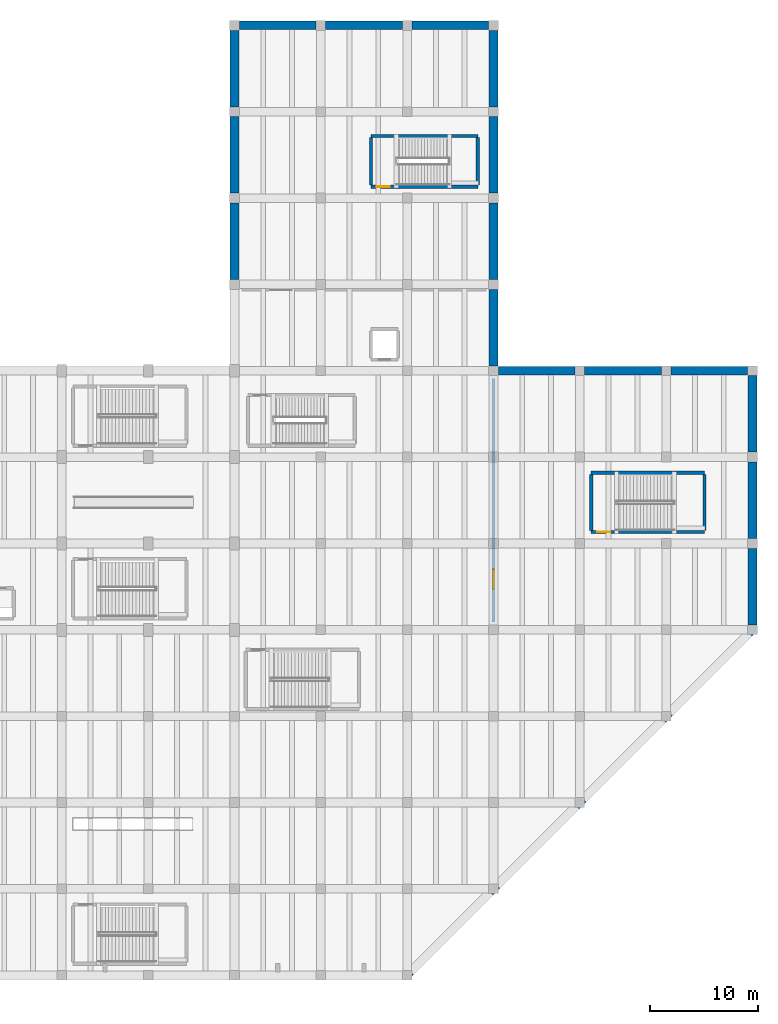
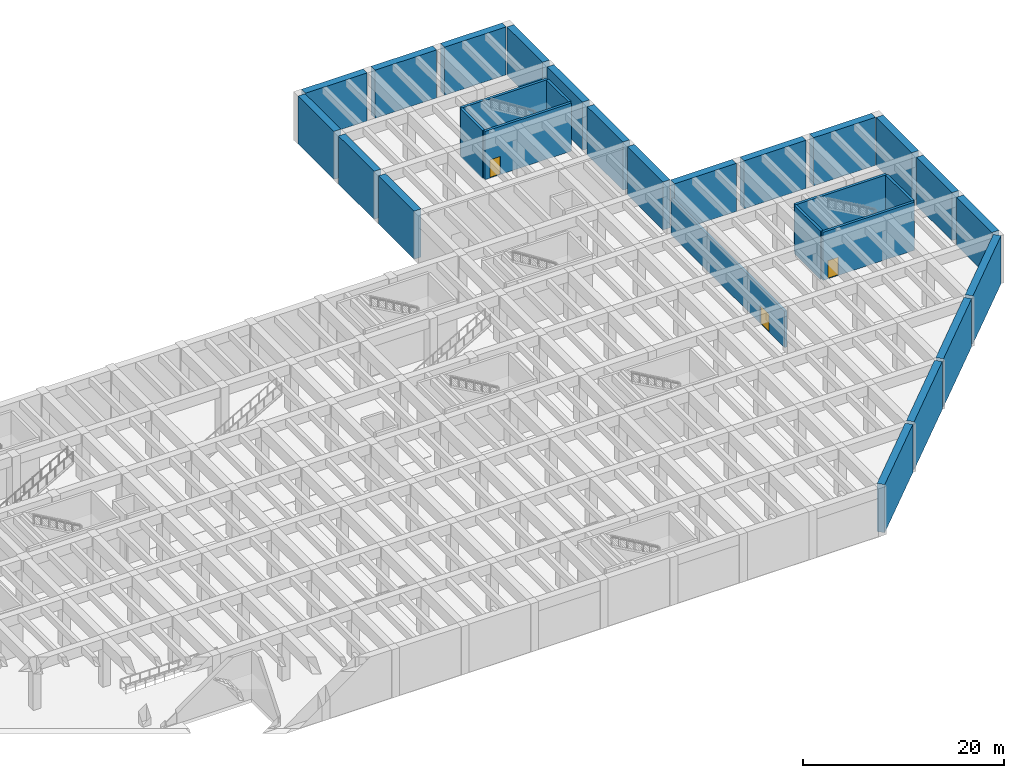
# One storey, part 12 of 24: 29 walls, 3 doors, 3 openings.
"""IFC4 building model written with IfcOpenShell, lengths in metres."""

from ifc_helpers import new_model, si_unit, direction, frame, frame_2d, origin, place, context, subcontext, project, spatial, rectangle, extrude, material, layer, layer_set, type_object, element, fill, save


model = new_model("IFC4")

# Units and contexts
model_context = context("Model", 3, precision=1e-05, world=origin(), true_north=direction((0.0, 1.0)))
body_context = subcontext(model_context, "Body", "Model", "MODEL_VIEW")
ifc_project = project(units=[si_unit("LENGTHUNIT", "METRE"), si_unit("AREAUNIT", "SQUARE_METRE"), si_unit("VOLUMEUNIT", "CUBIC_METRE"), si_unit("PLANEANGLEUNIT", "RADIAN"), si_unit("MASSUNIT", "GRAM", prefix="KILO")], contexts=[model_context])

# Site, building, storey
site_placement = place(None, origin())
site = spatial("IfcSite", under=ifc_project, at=site_placement, CompositionType="ELEMENT")
building_placement = place(site_placement, origin())
building = spatial("IfcBuilding", under=site, at=building_placement, Name="Varnela Railside Interchange", CompositionType="ELEMENT")
storey_placement = place(building_placement, frame((0.0, 0.0, -6.300048828125)))
storey = spatial("IfcBuildingStorey", under=building, at=storey_placement, Name="B1", CompositionType="ELEMENT", Elevation=-6.300048828125)

# Wall
ifc_material_1 = material(Name="Concrete C50", Category="concrete")
ifc_layer_1 = layer(ifc_material_1, 0.300048828125)
ifc_layer_set_1 = layer_set([ifc_layer_1], Name="Concrete C50")
wall_type_1 = type_object("IfcWallType", Name="Stair & Lift Shaft Wall SW-03", PredefinedType="SHEAR", material=ifc_layer_set_1)
wall_1_placement = place(storey_placement, frame((128.64990234375, 83.75, 0.0), z_axis=(0.0, 0.0, 1.0), x_axis=(1.0, 0.0, 0.0)))
element("IfcWall", 1, at=wall_1_placement, inside=storey, type_object=wall_type_1, Name="Stair & Lift Shaft Wall SW-03 (B1) (WL-0283)", PredefinedType="SHEAR", context=body_context, shape_type="SweptSolid", body=[
    extrude(rectangle(XDim=9.900146484375, YDim=0.300048828125, at=frame_2d((4.9501953125, 0.0))), origin(), (0.0, 0.0, 1.0), 5.85009765625),
])

# Wall, opening, door
wall_2_placement = place(storey_placement, frame((128.64990234375, 79.050048828125, 0.0), z_axis=(0.0, 0.0, 1.0), x_axis=(1.0, 0.0, 0.0)))
wall_2 = element("IfcWall", 2, at=wall_2_placement, inside=storey, type_object=wall_type_1, Name="Stair & Lift Shaft Wall SW-03 (B1) (WL-0284)", PredefinedType="SHEAR", context=body_context, shape_type="SweptSolid", body=[
    extrude(rectangle(XDim=9.900146484375, YDim=0.300048828125, at=frame_2d((4.9501953125, 0.0))), origin(), (0.0, 0.0, 1.0), 5.85009765625),
])
opening_1_placement = place(wall_2_placement, frame((0.550048828125, 0.0, 0.0)))
opening_1 = element("IfcOpeningElement", 3, at=opening_1_placement, cuts=wall_2, Name="Opening D-130", PredefinedType="OPENING", context=body_context, shape_type="SweptSolid", body=[
    extrude(rectangle(XDim=1.199951171875, YDim=2.199951171875, at=frame_2d((0.60009765625, 1.10009765625))), frame((0.0, 0.159912109375, 0.0), z_axis=(0.0, -1.0, 0.0), x_axis=(1.0, 0.0, 0.0)), (0.0, 0.0, 1.0), 0.320068359375),
])
ifc_material_2 = material(Name="Steel AR 350 (350 MPa)", Category="steel")
door_type_1 = type_object("IfcDoorType", Name="DR-SGL-1200-FD90", OperationType="NOTDEFINED", PredefinedType="DOOR", material=ifc_material_2)
door_1_placement = place(opening_1_placement, origin())
door_1 = element("IfcDoor", 4, at=door_1_placement, inside=storey, type_object=door_type_1, Name="Door D-130", OperationType="SINGLE_SWING_RIGHT", OverallHeight=2.199951171875, OverallWidth=1.199951171875, PredefinedType="DOOR", context=body_context, shape_type="SweptSolid", body=[
    extrude(rectangle(XDim=1.199951171875, YDim=2.199951171875, at=frame_2d((0.60009765625, 1.10009765625))), frame((0.0, 0.02490234375, 0.0), z_axis=(0.0, -1.0, 0.0), x_axis=(1.0, 0.0, 0.0)), (0.0, 0.0, 1.0), 0.050048828125),
])
fill(opening_1, door_1)

# Walls
for number, where, z_axis, x_axis, name in (
    (5, (128.64990234375, 79.199951171875, 0.0), (0.0, 0.0, 1.0), (0.0, 1.0, 0.0), "Stair & Lift Shaft Wall SW-03 (B1) (WL-0285)"),
    (6, (138.550048828125, 79.199951171875, 0.0), (0.0, 0.0, 1.0), (0.0, 1.0, 0.0), "Stair & Lift Shaft Wall SW-03 (B1) (WL-0282)"),
):
    element("IfcWall", number, at=place(storey_placement, frame(where, z_axis=z_axis, x_axis=x_axis)), inside=storey, type_object=wall_type_1, Name=name, PredefinedType="SHEAR", context=body_context, shape_type="SweptSolid", body=[
        extrude(rectangle(XDim=4.400146484375, YDim=0.300048828125, at=frame_2d((2.2001953125, 0.0))), origin(), (0.0, 0.0, 1.0), 5.85009765625),
    ])
wall_3_placement = place(storey_placement, frame((149.050048828125, 52.550048828125, 0.0), z_axis=(0.0, 0.0, 1.0), x_axis=(1.0, 0.0, 0.0)))
element("IfcWall", 7, at=wall_3_placement, inside=storey, type_object=wall_type_1, Name="Stair & Lift Shaft Wall SW-03 (B1) (WL-0287)", PredefinedType="SHEAR", context=body_context, shape_type="SweptSolid", body=[
    extrude(rectangle(XDim=10.5, YDim=0.300048828125, at=frame_2d((5.25, 0.0))), origin(), (0.0, 0.0, 1.0), 5.85009765625),
])

# Wall, opening, door
wall_4_placement = place(storey_placement, frame((149.050048828125, 47.050048828125, 0.0), z_axis=(0.0, 0.0, 1.0), x_axis=(1.0, 0.0, 0.0)))
wall_4 = element("IfcWall", 8, at=wall_4_placement, inside=storey, type_object=wall_type_1, Name="Stair & Lift Shaft Wall SW-03 (B1) (WL-0288)", PredefinedType="SHEAR", context=body_context, shape_type="SweptSolid", body=[
    extrude(rectangle(XDim=10.5, YDim=0.300048828125, at=frame_2d((5.25, 0.0))), origin(), (0.0, 0.0, 1.0), 5.85009765625),
])
opening_2_placement = place(wall_4_placement, frame((0.550048828125, 0.0, 0.0)))
opening_2 = element("IfcOpeningElement", 9, at=opening_2_placement, cuts=wall_4, Name="Opening D-131", PredefinedType="OPENING", context=body_context, shape_type="SweptSolid", body=[
    extrude(rectangle(XDim=1.199951171875, YDim=2.199951171875, at=frame_2d((0.60009765625, 1.10009765625))), frame((0.0, 0.159912109375, 0.0), z_axis=(0.0, -1.0, 0.0), x_axis=(1.0, 0.0, 0.0)), (0.0, 0.0, 1.0), 0.320068359375),
])
door_2_placement = place(opening_2_placement, origin())
door_2 = element("IfcDoor", 10, at=door_2_placement, inside=storey, type_object=door_type_1, Name="Door D-131", OperationType="SINGLE_SWING_LEFT", OverallHeight=2.199951171875, OverallWidth=1.199951171875, PredefinedType="DOOR", context=body_context, shape_type="SweptSolid", body=[
    extrude(rectangle(XDim=1.199951171875, YDim=2.199951171875, at=frame_2d((0.60009765625, 1.10009765625))), frame((0.0, 0.02490234375, 0.0), z_axis=(0.0, -1.0, 0.0), x_axis=(1.0, 0.0, 0.0)), (0.0, 0.0, 1.0), 0.050048828125),
])
fill(opening_2, door_2)

# Walls
for number, where, z_axis, x_axis, name in (
    (11, (149.050048828125, 47.199951171875, 0.0), (0.0, 0.0, 1.0), (0.0, 1.0, 0.0), "Stair & Lift Shaft Wall SW-03 (B1) (WL-0289)"),
    (12, (159.550048828125, 47.199951171875, 0.0), (0.0, 0.0, 1.0), (0.0, 1.0, 0.0), "Stair & Lift Shaft Wall SW-03 (B1) (WL-0286)"),
):
    element("IfcWall", number, at=place(storey_placement, frame(where, z_axis=z_axis, x_axis=x_axis)), inside=storey, type_object=wall_type_1, Name=name, PredefinedType="SHEAR", context=body_context, shape_type="SweptSolid", body=[
        extrude(rectangle(XDim=5.199951171875, YDim=0.300048828125, at=frame_2d((2.60009765625, 0.0))), origin(), (0.0, 0.0, 1.0), 5.85009765625),
    ])
ifc_material_3 = material(Name="Concrete C40", Category="concrete")
ifc_layer_2 = layer(ifc_material_3, 0.800048828125)
ifc_layer_set_2 = layer_set([ifc_layer_2], Name="Concrete C40")
wall_type_2 = type_object("IfcWallType", Name="Station Box Retaining Wall DW-02", PredefinedType="USERDEFINED", material=ifc_layer_set_2)
for number, where, z_axis, x_axis, name in (
    (13, (132.167236328125, 6.167236328125, 0.0), (0.0, 0.0, 1.0), (0.707106781187, 0.707106781187, 0.0), "Station Box Retaining Wall DW-02 (B1) (WL-0208)"),
    (14, (140.167236328125, 14.167236328125, 0.0), (0.0, 0.0, 1.0), (0.707106781187, 0.707106781187, 0.0), "Station Box Retaining Wall DW-02 (B1) (WL-0209)"),
    (15, (148.167236328125, 22.167236328125, 0.0), (0.0, 0.0, 1.0), (0.707106781187, 0.707106781187, 0.0), "Station Box Retaining Wall DW-02 (B1) (WL-0210)"),
    (16, (156.167236328125, 30.167236328125, 0.0), (0.0, 0.0, 1.0), (0.707106781187, 0.707106781187, 0.0), "Station Box Retaining Wall DW-02 (B1) (WL-0211)"),
):
    element("IfcWall", number, at=place(storey_placement, frame(where, z_axis=z_axis, x_axis=x_axis)), inside=storey, type_object=wall_type_2, Name=name, ObjectType="RETAININGWALL", PredefinedType="USERDEFINED", context=body_context, shape_type="SweptSolid", body=[
        extrude(rectangle(XDim=10.840576171875, YDim=0.800048828125, at=frame_2d((5.42041015625, 0.0))), origin(), (0.0, 0.0, 1.0), 5.85009765625),
    ])
for number, where, z_axis, x_axis, name in (
    (17, (164.0, 38.449951171875, 0.0), (0.0, 0.0, 1.0), (0.0, 1.0, 0.0), "Station Box Retaining Wall DW-02 (B1) (WL-0182)"),
    (18, (164.0, 46.449951171875, 0.0), (0.0, 0.0, 1.0), (0.0, 1.0, 0.0), "Station Box Retaining Wall DW-02 (B1) (WL-0183)"),
    (19, (164.0, 54.449951171875, 0.0), (0.0, 0.0, 1.0), (0.0, 1.0, 0.0), "Station Box Retaining Wall DW-02 (B1) (WL-0184)"),
    (20, (163.550048828125, 62.0, 0.0), (0.0, 0.0, 1.0), (-1.0, 0.0, 0.0), "Station Box Retaining Wall DW-02 (B1) (WL-0179)"),
    (21, (155.550048828125, 62.0, 0.0), (0.0, 0.0, 1.0), (-1.0, 0.0, 0.0), "Station Box Retaining Wall DW-02 (B1) (WL-0180)"),
    (22, (147.550048828125, 62.0, 0.0), (0.0, 0.0, 1.0), (-1.0, 0.0, 0.0), "Station Box Retaining Wall DW-02 (B1) (WL-0181)"),
    (23, (140.0, 62.449951171875, 0.0), (0.0, 0.0, 1.0), (0.0, 1.0, 0.0), "Station Box Retaining Wall DW-02 (B1) (WL-0188)"),
    (24, (140.0, 70.449951171875, 0.0), (0.0, 0.0, 1.0), (0.0, 1.0, 0.0), "Station Box Retaining Wall DW-02 (B1) (WL-0189)"),
    (25, (140.0, 78.449951171875, 0.0), (0.0, 0.0, 1.0), (0.0, 1.0, 0.0), "Station Box Retaining Wall DW-02 (B1) (WL-0190)"),
    (26, (140.0, 86.449951171875, 0.0), (0.0, 0.0, 1.0), (0.0, 1.0, 0.0), "Station Box Retaining Wall DW-02 (B1) (WL-0191)"),
    (27, (139.550048828125, 94.0, 0.0), (0.0, 0.0, 1.0), (-1.0, 0.0, 0.0), "Station Box Retaining Wall DW-02 (B1) (WL-0185)"),
    (28, (131.550048828125, 94.0, 0.0), (0.0, 0.0, 1.0), (-1.0, 0.0, 0.0), "Station Box Retaining Wall DW-02 (B1) (WL-0186)"),
    (29, (123.550048828125, 94.0, 0.0), (0.0, 0.0, 1.0), (-1.0, 0.0, 0.0), "Station Box Retaining Wall DW-02 (B1) (WL-0187)"),
    (30, (116.0, 93.550048828125, 0.0), (0.0, 0.0, 1.0), (0.0, -1.0, 0.0), "Station Box Retaining Wall DW-02 (B1) (WL-0192)"),
    (31, (116.0, 85.550048828125, 0.0), (0.0, 0.0, 1.0), (0.0, -1.0, 0.0), "Station Box Retaining Wall DW-02 (B1) (WL-0193)"),
    (32, (116.0, 77.550048828125, 0.0), (0.0, 0.0, 1.0), (0.0, -1.0, 0.0), "Station Box Retaining Wall DW-02 (B1) (WL-0194)"),
):
    element("IfcWall", number, at=place(storey_placement, frame(where, z_axis=z_axis, x_axis=x_axis)), inside=storey, type_object=wall_type_2, Name=name, ObjectType="RETAININGWALL", PredefinedType="USERDEFINED", context=body_context, shape_type="SweptSolid", body=[
        extrude(rectangle(XDim=7.10009765625, YDim=0.800048828125, at=frame_2d((3.550048828125, 0.0))), origin(), (0.0, 0.0, 1.0), 5.85009765625),
    ])

# Wall, opening, door
ifc_layer_3 = layer(ifc_material_3, 0.25)
ifc_layer_set_3 = layer_set([ifc_layer_3], Name="Concrete C40")
wall_type_3 = type_object("IfcWallType", Name="Substation Fire Wall EI120 FW-03", PredefinedType="SOLIDWALL", material=ifc_layer_set_3)
wall_5_placement = place(storey_placement, frame((140.0, 38.699951171875, 0.0), z_axis=(0.0, 0.0, 1.0), x_axis=(0.0, 1.0, 0.0)))
wall_5 = element("IfcWall", 33, at=wall_5_placement, inside=storey, type_object=wall_type_3, Name="Substation Fire Wall EI120 FW-03 (B1) (WL-0241)", PredefinedType="SOLIDWALL", context=body_context, shape_type="SweptSolid", body=[
    extrude(rectangle(XDim=22.60009765625, YDim=0.25, at=frame_2d((11.300048828125, 0.0))), origin(), (0.0, 0.0, 1.0), 4.449951171875),
])
opening_3_placement = place(wall_5_placement, frame((3.10009765625, 0.0, 0.0)))
opening_3 = element("IfcOpeningElement", 34, at=opening_3_placement, cuts=wall_5, Name="Opening D-147", PredefinedType="OPENING", context=body_context, shape_type="SweptSolid", body=[
    extrude(rectangle(XDim=1.800048828125, YDim=2.199951171875, at=frame_2d((0.89990234375, 1.10009765625))), frame((0.0, 0.135009765625, 0.0), z_axis=(0.0, -1.0, 0.0), x_axis=(1.0, 0.0, 0.0)), (0.0, 0.0, 1.0), 0.27001953125),
])
door_type_2 = type_object("IfcDoorType", Name="DR-DBL-1800-FD60", OperationType="DOUBLE_DOOR_SINGLE_SWING", PredefinedType="DOOR", material=ifc_material_2)
door_3_placement = place(opening_3_placement, origin())
door_3 = element("IfcDoor", 35, at=door_3_placement, inside=storey, type_object=door_type_2, Name="Door D-147", OperationType="DOUBLE_DOOR_SINGLE_SWING", OverallHeight=2.199951171875, OverallWidth=1.800048828125, PredefinedType="DOOR", context=body_context, shape_type="SweptSolid", body=[
    extrude(rectangle(XDim=1.800048828125, YDim=2.199951171875, at=frame_2d((0.89990234375, 1.10009765625))), frame((0.0, 0.02490234375, 0.0), z_axis=(0.0, -1.0, 0.0), x_axis=(1.0, 0.0, 0.0)), (0.0, 0.0, 1.0), 0.050048828125),
])
fill(opening_3, door_3)

save(model, "model.ifc")
